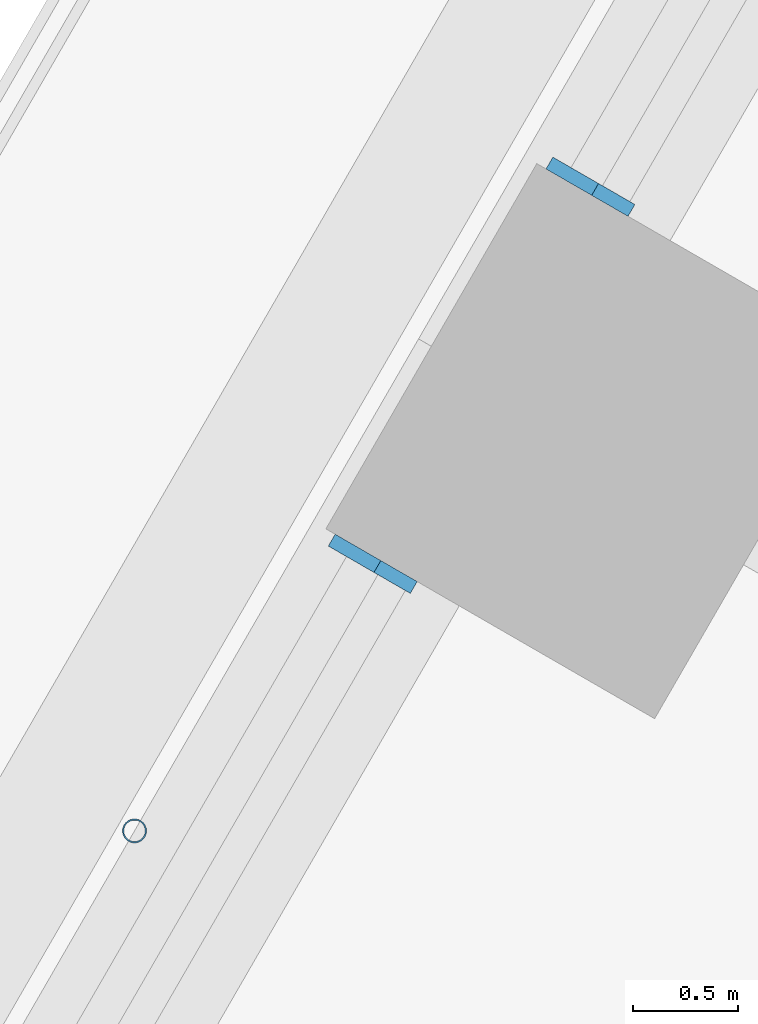
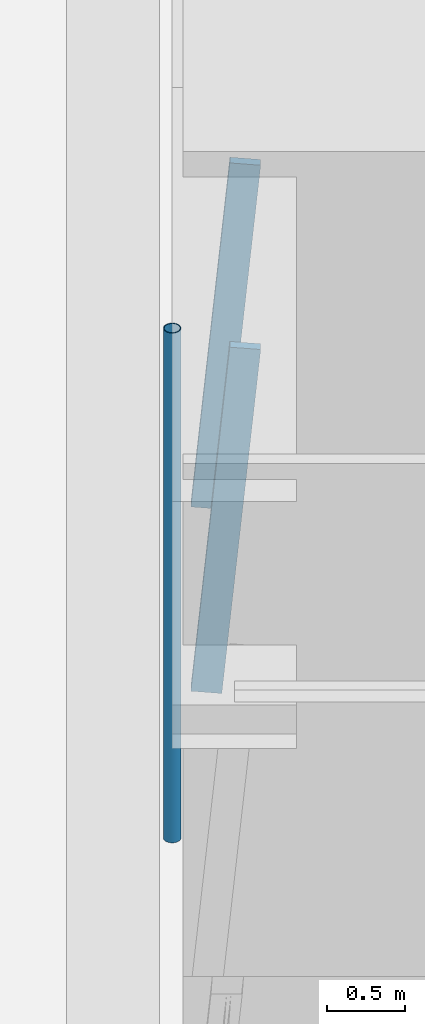
# One storey, part 7 of 23: 3 members, 2 elements without a shape of their own.
"""IFC4 building model written with IfcOpenShell, lengths in metres."""

from ifc_helpers import new_model, si_unit, direction, frame, origin, origin_2d, place, context, subcontext, project, spatial, rectangle, hollow_circle, extrude, material, material_profile, profile_set, type_object, element, aggregate, save


model = new_model("IFC4")

# Units and contexts
model_context = context("Model", 3, precision=1e-05, world=origin(), true_north=direction((0.0, 1.0)))
body_context = subcontext(model_context, "Body", "Model", "MODEL_VIEW")
ifc_project = project(units=[si_unit("LENGTHUNIT", "METRE"), si_unit("AREAUNIT", "SQUARE_METRE"), si_unit("VOLUMEUNIT", "CUBIC_METRE"), si_unit("PLANEANGLEUNIT", "RADIAN"), si_unit("MASSUNIT", "GRAM", prefix="KILO")], contexts=[model_context])

# Site, building, storey
site_placement = place(None, origin())
site = spatial("IfcSite", under=ifc_project, at=site_placement, CompositionType="ELEMENT")
building_placement = place(site_placement, origin())
building = spatial("IfcBuilding", under=site, at=building_placement, Name="Tarfa Lantern Tower", CompositionType="ELEMENT")
storey_placement = place(building_placement, frame((0.0, 0.0, 61.300048828125)))
storey = spatial("IfcBuildingStorey", under=building, at=storey_placement, Name="L13", CompositionType="ELEMENT", Elevation=61.300048828125)

# Curtain wall, member
ifc_material_1 = material(Name="Aluminium framed curtain wall", Category="aluminium")
curtain_wall_type = type_object("IfcCurtainWallType", Name="CW1 CANTED GLAZING LOW ZONE 2700", PredefinedType="USERDEFINED", material=ifc_material_1)
curtain_wall_1_placement = place(storey_placement, origin())
curtain_wall_1 = element("IfcCurtainWall", 1, at=curtain_wall_1_placement, inside=storey, type_object=curtain_wall_type, Name="CW1 NW L13", ObjectType="CURTAIN WALL", PredefinedType="USERDEFINED")
ifc_material_2 = material(Name="Aluminium mullion", Category="aluminium")
ifc_material_profile_1 = material_profile(ifc_material_2, rectangle(XDim=0.06494140625, YDim=0.199951171875, at=origin_2d()), Name="AL MULLION 65x200")
ifc_profile_set_1 = profile_set([ifc_material_profile_1], Name="Aluminium mullion")
member_type_1 = type_object("IfcMemberType", Name="CWM1 MULLION 65x200", PredefinedType="MULLION", material=ifc_profile_set_1)
member_1_placement = place(storey_placement, frame((-31.536376953125, 13.177490234375, 0.0), z_axis=(0.07986442134, -0.046099868913, 0.99573916077), x_axis=(0.499919672301, 0.866071776036, 0.0)))
member_1 = element("IfcMember", 2, at=member_1_placement, type_object=member_type_1, Name="CW1 mullion 2", PredefinedType="MULLION", context=body_context, shape_type="SweptSolid", body=[
    extrude(rectangle(XDim=0.06494140625, YDim=0.199951171875, at=origin_2d()), origin(), (0.0, 0.0, 1.0), 2.71142578125),
])
aggregate(curtain_wall_1, [member_1])

curtain_wall_2_placement = place(storey_placement, origin())
curtain_wall_2 = element("IfcCurtainWall", 3, at=curtain_wall_2_placement, inside=storey, type_object=curtain_wall_type, Name="CW1 NW L13", ObjectType="CURTAIN WALL", PredefinedType="USERDEFINED")
member_2_placement = place(storey_placement, frame((-32.56884765625, 11.38916015625, 0.0), z_axis=(0.07986442134, -0.046099868913, 0.99573916077), x_axis=(0.499919672301, 0.866071776036, 0.0)))
member_2 = element("IfcMember", 4, at=member_2_placement, type_object=member_type_1, Name="CW1 mullion 1", PredefinedType="MULLION", context=body_context, shape_type="SweptSolid", body=[
    extrude(rectangle(XDim=0.06494140625, YDim=0.199951171875, at=origin_2d()), origin(), (0.0, 0.0, 1.0), 2.71142578125),
])
aggregate(curtain_wall_2, [member_2])

# Member
ifc_material_3 = material(Name="Steel S355", Category="steel")
ifc_material_profile_2 = material_profile(ifc_material_3, hollow_circle(Radius=0.05712890625, WallThickness=0.00634765625, at=origin_2d()), Name="CHS114.3x6.3")
ifc_profile_set_2 = profile_set([ifc_material_profile_2], Name="Steel S355")
member_type_2 = type_object("IfcMemberType", Name="TR1 GREEN WALL TRELLIS CHS114.3x6.3", PredefinedType="USERDEFINED", material=ifc_profile_set_2)
member_3_placement = place(storey_placement, frame((-33.59033203125, 10.06005859375, 0.0), z_axis=(0.0, 0.0, 1.0), x_axis=(1.0, 0.0, 0.0)))
element("IfcMember", 5, at=member_3_placement, inside=storey, type_object=member_type_2, Name="Trellis post NW 2", ObjectType="TRELLIS", PredefinedType="USERDEFINED", context=body_context, shape_type="SweptSolid", body=[
    extrude(hollow_circle(Radius=0.05712890625, WallThickness=0.00634765625, at=origin_2d()), origin(), (0.0, 0.0, 1.0), 4.0),
])

save(model, "model.ifc")
